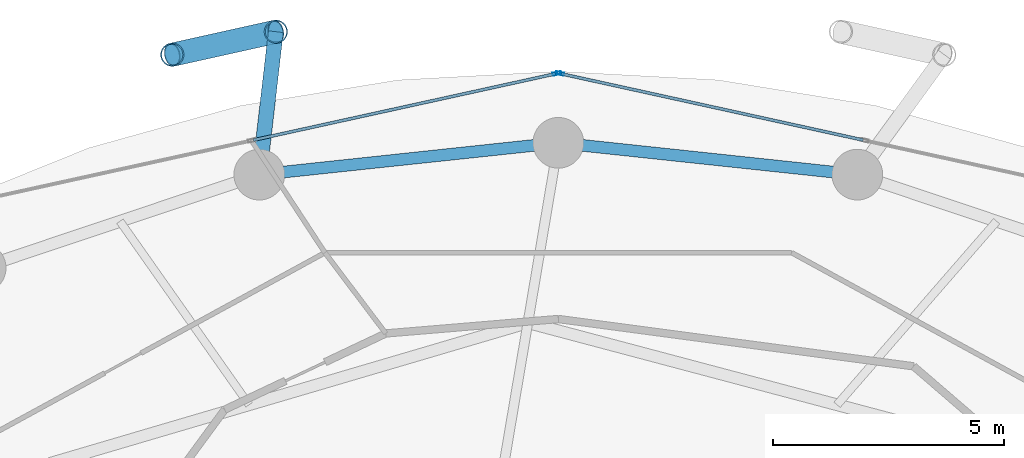
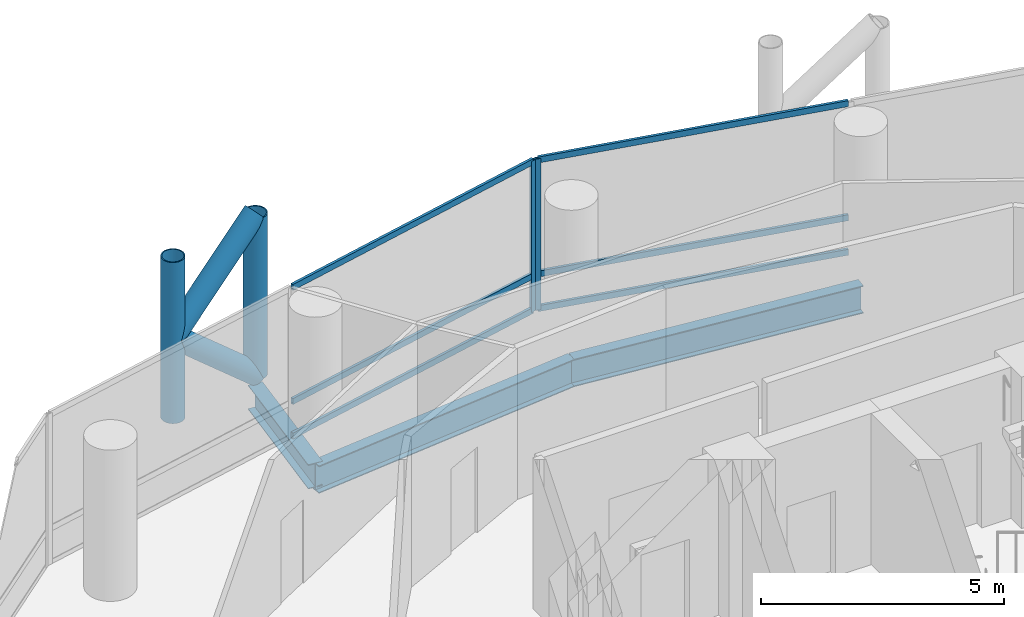
# One storey, part 16 of 25: 12 members, 3 beams, 2 elements without a shape of their own.
"""IFC4 building model written with IfcOpenShell, lengths in metres."""

from ifc_helpers import new_model, si_unit, direction, frame, origin, origin_2d, place, context, subcontext, project, spatial, hollow_rectangle, hollow_circle, i_section, extrude, material, layer, layer_set, material_profile, profile_set, type_object, element, aggregate, save


model = new_model("IFC4")

# Units and contexts
model_context = context("Model", 3, precision=1e-05, world=origin(), true_north=direction((0.0, 1.0)))
body_context = subcontext(model_context, "Body", "Model", "MODEL_VIEW")
ifc_project = project(units=[si_unit("LENGTHUNIT", "METRE"), si_unit("AREAUNIT", "SQUARE_METRE"), si_unit("VOLUMEUNIT", "CUBIC_METRE"), si_unit("PLANEANGLEUNIT", "RADIAN"), si_unit("MASSUNIT", "GRAM", prefix="KILO")], contexts=[model_context])

# Site, building, storey
site_placement = place(None, origin())
site = spatial("IfcSite", under=ifc_project, at=site_placement, CompositionType="ELEMENT")
building_placement = place(site_placement, origin())
building = spatial("IfcBuilding", under=site, at=building_placement, Name="Nuhasar Tower", CompositionType="ELEMENT")
storey_placement = place(building_placement, frame((0.0, 0.0, 65.550048828125)))
storey = spatial("IfcBuildingStorey", under=building, at=storey_placement, Name="L15", CompositionType="ELEMENT", Elevation=65.550048828125)

# Beams
ifc_material_1 = material(Name="Steel S355", Category="steel")
ifc_material_profile_1 = material_profile(ifc_material_1, i_section(OverallWidth=0.256103515625, OverallDepth=0.693115234375, WebThickness=0.014404296875, FlangeThickness=0.023681640625, at=origin_2d()), Name="W27X114")
ifc_profile_set_1 = profile_set([ifc_material_profile_1], Name="Steel S355")
beam_type_1 = type_object("IfcBeamType", Name="BM-RING-W27X114", PredefinedType="SPANDREL", material=ifc_profile_set_1)
for number, where, z_axis, x_axis, name in (
    (1, (45.48291015625, 46.360107421875, -0.59716796875), (-0.994384554061, 0.105827022286, 0.0), (-0.105827022286, -0.994384554061, 0.0), "L15 Perimeter Ring Spandrel 06"),
    (2, (39.0, 47.050048828125, -0.59716796875), (-0.994384554061, -0.105827022286, 0.0), (0.105827022286, -0.994384554061, 0.0), "L15 Perimeter Ring Spandrel 07"),
):
    element("IfcBeam", number, at=place(storey_placement, frame(where, z_axis=z_axis, x_axis=x_axis)), inside=storey, type_object=beam_type_1, Name=name, PredefinedType="SPANDREL", context=body_context, shape_type="SweptSolid", body=[
        extrude(i_section(OverallWidth=0.256103515625, OverallDepth=0.693115234375, WebThickness=0.014404296875, FlangeThickness=0.023681640625, at=origin_2d()), origin(), (0.0, 0.0, 1.0), 6.51953125),
    ])
ifc_material_profile_2 = material_profile(ifc_material_1, i_section(OverallWidth=0.323974609375, OverallDepth=0.611083984375, WebThickness=0.0126953125, FlangeThickness=0.01904296875, at=origin_2d()), Name="W24X104")
ifc_profile_set_2 = profile_set([ifc_material_profile_2], Name="Steel S355")
beam_type_2 = type_object("IfcBeamType", Name="BM-TIE-W24X104", PredefinedType="BEAM", material=ifc_profile_set_2)
beam_placement = place(storey_placement, frame((32.51708984375, 46.360107421875, -0.554931640625), z_axis=(0.115042934281, 0.993360520291, 0.0), x_axis=(-0.993360520291, 0.115042934281, 0.0)))
element("IfcBeam", 3, at=beam_placement, inside=storey, type_object=beam_type_2, Name="L15 Exoskeleton Node Tie Beam 04", PredefinedType="BEAM", context=body_context, shape_type="SweptSolid", body=[
    extrude(i_section(OverallWidth=0.323974609375, OverallDepth=0.611083984375, WebThickness=0.0126953125, FlangeThickness=0.01904296875, at=origin_2d()), origin(), (0.0, 0.0, 1.0), 3.11962890625),
])

# Curtain wall, member
ifc_material_2 = material(Name="Aluminium 6063-T6", Category="aluminium")
ifc_layer = layer(ifc_material_2, 0.199951171875)
ifc_layer_set = layer_set([ifc_layer], Name="Aluminium 6063-T6")
curtain_wall_type = type_object("IfcCurtainWallType", Name="CW-Z1-OFF", PredefinedType="NOTDEFINED", material=ifc_layer_set)
curtain_wall_1_placement = place(storey_placement, origin())
curtain_wall_1 = element("IfcCurtainWall", 4, at=curtain_wall_1_placement, inside=storey, type_object=curtain_wall_type, Name="L15 Unitised Curtain Wall 03", PredefinedType="NOTDEFINED")
ifc_material_profile_3 = material_profile(ifc_material_2, hollow_rectangle(XDim=0.06494140625, YDim=0.179931640625, WallThickness=0.0048828125, at=origin_2d()), Name="CWM-2")
ifc_profile_set_3 = profile_set([ifc_material_profile_3], Name="Aluminium 6063-T6")
member_type_1 = type_object("IfcMemberType", Name="CW-MUL-S2", PredefinedType="MULLION", material=ifc_profile_set_3)
member_1_placement = place(storey_placement, frame((39.03173828125, 48.552978515625, 0.0), z_axis=(0.0, 0.0, 1.0), x_axis=(-0.214398737637, -0.976746221544, 0.0)))
member_1 = element("IfcMember", 5, at=member_1_placement, type_object=member_type_1, Name="CW-Z1 mullion 3", PredefinedType="MULLION", context=body_context, shape_type="SweptSolid", body=[
    extrude(hollow_rectangle(XDim=0.06494140625, YDim=0.179931640625, WallThickness=0.0048828125, at=origin_2d()), origin(), (0.0, 0.0, 1.0), 3.800048828125),
])

curtain_wall_2_placement = place(storey_placement, origin())
curtain_wall_2 = element("IfcCurtainWall", 6, at=curtain_wall_2_placement, inside=storey, type_object=curtain_wall_type, Name="L15 Unitised Curtain Wall 04", PredefinedType="NOTDEFINED")
member_2_placement = place(storey_placement, frame((38.96826171875, 48.552978515625, 0.0), z_axis=(0.0, 0.0, 1.0), x_axis=(0.214398737637, -0.976746221544, 0.0)))
member_2 = element("IfcMember", 7, at=member_2_placement, type_object=member_type_1, Name="CW-Z1 mullion 1", PredefinedType="MULLION", context=body_context, shape_type="SweptSolid", body=[
    extrude(hollow_rectangle(XDim=0.06494140625, YDim=0.179931640625, WallThickness=0.0048828125, at=origin_2d()), origin(), (0.0, 0.0, 1.0), 3.800048828125),
])

# Member
ifc_material_profile_4 = material_profile(ifc_material_2, hollow_rectangle(XDim=0.06494140625, YDim=0.14990234375, WallThickness=0.00439453125, at=origin_2d()), Name="CWT-2")
ifc_profile_set_4 = profile_set([ifc_material_profile_4], Name="Aluminium 6063-T6")
member_type_2 = type_object("IfcMemberType", Name="CW-TRN-S2", PredefinedType="USERDEFINED", material=ifc_profile_set_4)
member_3_placement = place(storey_placement, frame((45.608154296875, 47.109375, 0.032470703125), z_axis=(-0.976740248595, 0.214425947065, 0.0), x_axis=(-0.214425947065, -0.976740248595, 0.0)))
member_3 = element("IfcMember", 8, at=member_3_placement, type_object=member_type_2, Name="CW-Z1 transom 2.1", ObjectType="TRANSOM", PredefinedType="USERDEFINED", context=body_context, shape_type="SweptSolid", body=[
    extrude(hollow_rectangle(XDim=0.06494140625, YDim=0.14990234375, WallThickness=0.00439453125, at=origin_2d()), origin(), (0.0, 0.0, 1.0), 6.700439453125),
])

member_4_placement = place(storey_placement, frame((45.608154296875, 47.109375, 0.89990234375), z_axis=(-0.976740248595, 0.214425947065, 0.0), x_axis=(-0.214425947065, -0.976740248595, 0.0)))
member_4 = element("IfcMember", 9, at=member_4_placement, type_object=member_type_2, Name="CW-Z1 transom 2.2", ObjectType="TRANSOM", PredefinedType="USERDEFINED", context=body_context, shape_type="SweptSolid", body=[
    extrude(hollow_rectangle(XDim=0.06494140625, YDim=0.14990234375, WallThickness=0.00439453125, at=origin_2d()), origin(), (0.0, 0.0, 1.0), 6.700439453125),
])

member_5_placement = place(storey_placement, frame((45.608154296875, 47.109375, 3.767333984375), z_axis=(-0.976740248595, 0.214425947065, 0.0), x_axis=(-0.214425947065, -0.976740248595, 0.0)))
member_5 = element("IfcMember", 10, at=member_5_placement, type_object=member_type_2, Name="CW-Z1 transom 2.3", ObjectType="TRANSOM", PredefinedType="USERDEFINED", context=body_context, shape_type="SweptSolid", body=[
    extrude(hollow_rectangle(XDim=0.06494140625, YDim=0.14990234375, WallThickness=0.00439453125, at=origin_2d()), origin(), (0.0, 0.0, 1.0), 6.700439453125),
])

aggregate(curtain_wall_1, [member_1, member_3, member_4, member_5])

member_6_placement = place(storey_placement, frame((38.9365234375, 48.546142578125, 0.032470703125), z_axis=(-0.976740248595, -0.214425947065, 0.0), x_axis=(0.214425947065, -0.976740248595, 0.0)))
member_6 = element("IfcMember", 11, at=member_6_placement, type_object=member_type_2, Name="CW-Z1 transom 1.1", ObjectType="TRANSOM", PredefinedType="USERDEFINED", context=body_context, shape_type="SweptSolid", body=[
    extrude(hollow_rectangle(XDim=0.06494140625, YDim=0.14990234375, WallThickness=0.00439453125, at=origin_2d()), origin(), (0.0, 0.0, 1.0), 6.700439453125),
])

member_7_placement = place(storey_placement, frame((38.9365234375, 48.546142578125, 0.89990234375), z_axis=(-0.976740248595, -0.214425947065, 0.0), x_axis=(0.214425947065, -0.976740248595, 0.0)))
member_7 = element("IfcMember", 12, at=member_7_placement, type_object=member_type_2, Name="CW-Z1 transom 1.2", ObjectType="TRANSOM", PredefinedType="USERDEFINED", context=body_context, shape_type="SweptSolid", body=[
    extrude(hollow_rectangle(XDim=0.06494140625, YDim=0.14990234375, WallThickness=0.00439453125, at=origin_2d()), origin(), (0.0, 0.0, 1.0), 6.700439453125),
])

member_8_placement = place(storey_placement, frame((38.9365234375, 48.546142578125, 3.767333984375), z_axis=(-0.976740248595, -0.214425947065, 0.0), x_axis=(0.214425947065, -0.976740248595, 0.0)))
member_8 = element("IfcMember", 13, at=member_8_placement, type_object=member_type_2, Name="CW-Z1 transom 1.3", ObjectType="TRANSOM", PredefinedType="USERDEFINED", context=body_context, shape_type="SweptSolid", body=[
    extrude(hollow_rectangle(XDim=0.06494140625, YDim=0.14990234375, WallThickness=0.00439453125, at=origin_2d()), origin(), (0.0, 0.0, 1.0), 6.700439453125),
])

aggregate(curtain_wall_2, [member_2, member_6, member_7, member_8])

# Members
ifc_material_3 = material(Name="Steel S460", Category="steel")
ifc_material_profile_5 = material_profile(ifc_material_3, hollow_circle(Radius=0.25390625, WallThickness=0.025390625, at=origin_2d()), Name="HSS508X25.4")
ifc_profile_set_5 = profile_set([ifc_material_profile_5], Name="Steel S460")
member_type_3 = type_object("IfcMemberType", Name="EXO-BRONZE-508", PredefinedType="BRACE", material=ifc_profile_set_5)
for number, where, z_axis, x_axis, name in (
    (14, (32.8759765625, 49.458984375, 0.0), (0.0, 0.0, 1.0), (1.0, 0.0, 0.0), "L15 Exoskeleton Chord Column EC-04A"),
    (15, (30.6298828125, 48.9599609375, 0.0), (0.0, 0.0, 1.0), (1.0, 0.0, 0.0), "L15 Exoskeleton Chord Column EC-04B"),
):
    element("IfcMember", number, at=place(storey_placement, frame(where, z_axis=z_axis, x_axis=x_axis)), inside=storey, type_object=member_type_3, Name=name, PredefinedType="BRACE", context=body_context, shape_type="SweptSolid", body=[
        extrude(hollow_circle(Radius=0.25390625, WallThickness=0.025390625, at=origin_2d()), origin(), (0.0, 0.0, 1.0), 4.050048828125),
    ])
member_9_placement = place(storey_placement, frame((32.8759765625, 49.458984375, 0.0), z_axis=(-0.732821471909, -0.162813813976, 0.660654487828), x_axis=(0.216885517571, -0.97619704582, 0.0)))
element("IfcMember", 16, at=member_9_placement, inside=storey, type_object=member_type_3, Name="L15 Bronze Diagrid Brace W1-04", PredefinedType="BRACE", context=body_context, shape_type="SweptSolid", body=[
    extrude(hollow_circle(Radius=0.25390625, WallThickness=0.025390625, at=origin_2d()), origin(), (0.0, 0.0, 1.0), 3.06494140625),
])
member_10_placement = place(storey_placement, frame((30.6298828125, 48.9599609375, 2.02490234375), z_axis=(0.732782908552, 0.162805246204, 0.660699372439), x_axis=(-0.216885517571, 0.97619704582, 0.0)))
element("IfcMember", 17, at=member_10_placement, inside=storey, type_object=member_type_3, Name="L15 Bronze Diagrid Brace W2-04", PredefinedType="BRACE", context=body_context, shape_type="SweptSolid", body=[
    extrude(hollow_circle(Radius=0.25390625, WallThickness=0.025390625, at=origin_2d()), origin(), (0.0, 0.0, 1.0), 3.065185546875),
])

save(model, "model.ifc")
